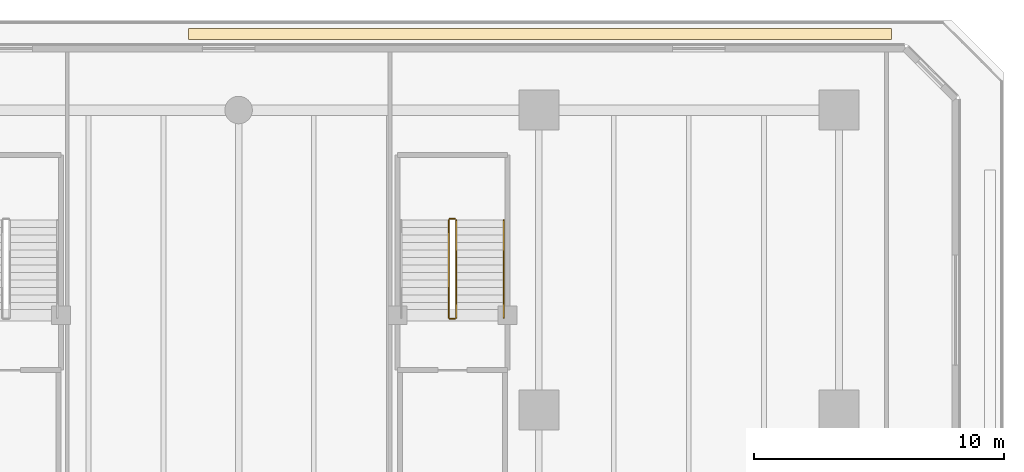
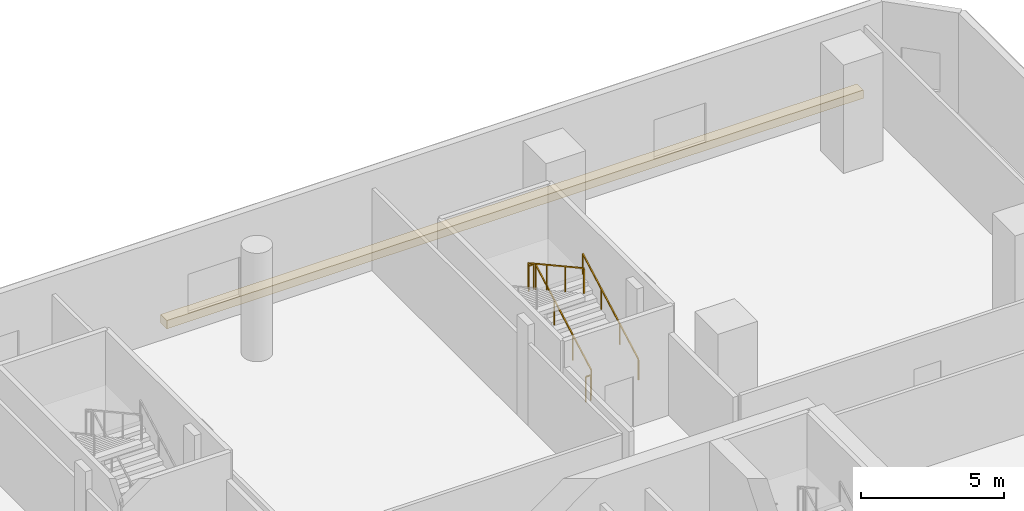
# One storey, part 26 of 27: 5 railings, 1 covering.
"""IFC4 building model written with IfcOpenShell, lengths in metres."""

from ifc_helpers import new_model, si_unit, direction, frame, origin, place, context, subcontext, project, spatial, polyline, rectangle, outline, extrude, material, layer, layer_set, type_object, element, save


model = new_model("IFC4")

# Units and contexts
model_context = context("Model", 3, precision=1e-05, world=origin(), true_north=direction((0.0, 1.0)))
body_context = subcontext(model_context, "Body", "Model", "MODEL_VIEW")
ifc_project = project(units=[si_unit("LENGTHUNIT", "METRE"), si_unit("AREAUNIT", "SQUARE_METRE"), si_unit("VOLUMEUNIT", "CUBIC_METRE"), si_unit("PLANEANGLEUNIT", "RADIAN"), si_unit("MASSUNIT", "GRAM", prefix="KILO")], contexts=[model_context])

# Site, building, storey
site_placement = place(None, origin())
site = spatial("IfcSite", under=ifc_project, at=site_placement, CompositionType="ELEMENT")
building_placement = place(site_placement, origin())
building = spatial("IfcBuilding", under=site, at=building_placement, Name="Tanjung Sevakor Pilgrim Tower", CompositionType="ELEMENT")
storey_placement = place(building_placement, frame((0.0, 0.0, 19.469970703125)))
storey = spatial("IfcBuildingStorey", under=building, at=storey_placement, Name="L05", CompositionType="ELEMENT", Elevation=19.469970703125)

# Covering
ifc_material_1 = material(Name="Vegetated Modular Planter Assembly", Category="organic")
ifc_layer = layer(ifc_material_1, 0.35009765625)
ifc_layer_set = layer_set([ifc_layer], Name="COV-GRN-TROUGH")
covering_type = type_object("IfcCoveringType", Name="COV-GRN-TROUGH", PredefinedType="CLADDING", material=ifc_layer_set)
covering_placement = place(storey_placement, origin())
element("IfcCovering", 1, at=covering_placement, inside=storey, type_object=covering_type, Name="L05 Planted Landscape Hedge Trough PGRN-L05-NE", PredefinedType="CLADDING", context=body_context, shape_type="SweptSolid", body=[
    extrude(outline(polyline([(76.0, 63.429931640625), (104.10009765625, 63.429931640625), (104.10009765625, 63.8701171875), (76.0, 63.8701171875), (76.0, 63.429931640625)])), origin(), (0.0, 0.0, 1.0), 0.35009765625),
])

# Railings
ifc_material_2 = material(Name="Steel S355J2", Category="steel")
railing_type_1 = type_object("IfcRailingType", Name="RL-STAIR-GUARD", PredefinedType="GUARDRAIL", material=ifc_material_2)
railing_1_placement = place(storey_placement, frame((86.699951171875, 52.300048828125, 0.1650390625)))
element("IfcRailing", 2, at=railing_1_placement, inside=storey, type_object=railing_type_1, Name="L05 PS-6 stair guard 1", PredefinedType="GUARDRAIL", context=body_context, shape_type="SweptSolid", body=[
    extrude(rectangle(XDim=0.0479, YDim=0.0479), frame((0.0, 0.0, 1.076171875), z_axis=(0.0, 0.876208959939, 0.481931383625), x_axis=(-1.0, 0.0, 0.0)), (0.0, 0.0, 1.0), 4.450927734375),
    extrude(rectangle(XDim=0.042, YDim=0.042), origin(), (0.0, 0.0, 1.0), 1.052001953125),
    extrude(rectangle(XDim=0.042, YDim=0.042), frame((0.0, 1.300048828125, 0.715087890625)), (0.0, 0.0, 1.0), 1.052001953125),
    extrude(rectangle(XDim=0.042, YDim=0.042), frame((0.0, 2.599853515625, 1.429931640625)), (0.0, 0.0, 1.0), 1.052001953125),
    extrude(rectangle(XDim=0.042, YDim=0.042), frame((0.0, 3.89990234375, 2.14501953125)), (0.0, 0.0, 1.0), 1.052001953125),
])
railing_2_placement = place(storey_placement, frame((86.64990234375, 56.25, 2.31005859375)))
element("IfcRailing", 3, at=railing_2_placement, inside=storey, type_object=railing_type_1, Name="L05 PS-6 stair guard 2", PredefinedType="GUARDRAIL", context=body_context, shape_type="SweptSolid", body=[
    extrude(rectangle(XDim=0.0479, YDim=0.0479), frame((0.0, 0.0, 1.076171875), z_axis=(-1.0, 0.0, 0.0), x_axis=(0.0, -1.0, 0.0)), (0.0, 0.0, 1.0), 0.199951171875),
    extrude(rectangle(XDim=0.042, YDim=0.042), origin(), (0.0, 0.0, 1.0), 1.052001953125),
    extrude(rectangle(XDim=0.042, YDim=0.042), frame((-0.199951171875, 0.0, 0.0)), (0.0, 0.0, 1.0), 1.052001953125),
])
railing_3_placement = place(storey_placement, frame((86.39990234375, 56.199951171875, 2.47509765625)))
element("IfcRailing", 4, at=railing_3_placement, inside=storey, type_object=railing_type_1, Name="L05 PS-6 stair guard 3", PredefinedType="GUARDRAIL", context=body_context, shape_type="SweptSolid", body=[
    extrude(rectangle(XDim=0.0479, YDim=0.0479), frame((0.0, 0.0, 1.076171875), z_axis=(0.0, -0.876208959939, 0.481931383625), x_axis=(1.0, 0.0, 0.0)), (0.0, 0.0, 1.0), 4.450927734375),
    extrude(rectangle(XDim=0.042, YDim=0.042), origin(), (0.0, 0.0, 1.0), 1.052001953125),
    extrude(rectangle(XDim=0.042, YDim=0.042), frame((0.0, -1.300048828125, 0.715087890625)), (0.0, 0.0, 1.0), 1.052001953125),
    extrude(rectangle(XDim=0.042, YDim=0.042), frame((0.0, -2.599853515625, 1.429931640625)), (0.0, 0.0, 1.0), 1.052001953125),
    extrude(rectangle(XDim=0.042, YDim=0.042), frame((0.0, -3.89990234375, 2.14501953125)), (0.0, 0.0, 1.0), 1.052001953125),
])
railing_4_placement = place(storey_placement, frame((86.64990234375, 52.25, 0.0)))
element("IfcRailing", 5, at=railing_4_placement, inside=storey, type_object=railing_type_1, Name="L05 PS-6 stair guard 4", PredefinedType="GUARDRAIL", context=body_context, shape_type="SweptSolid", body=[
    extrude(rectangle(XDim=0.0479, YDim=0.0479), frame((0.0, 0.0, 1.076171875), z_axis=(-1.0, 0.0, 0.0), x_axis=(0.0, -1.0, 0.0)), (0.0, 0.0, 1.0), 0.199951171875),
    extrude(rectangle(XDim=0.042, YDim=0.042), origin(), (0.0, 0.0, 1.0), 1.052001953125),
    extrude(rectangle(XDim=0.042, YDim=0.042), frame((-0.199951171875, 0.0, 0.0)), (0.0, 0.0, 1.0), 1.052001953125),
])
ifc_material_3 = material(Name="Steel S355J2", Category="steel")
railing_type_2 = type_object("IfcRailingType", Name="RL-STAIR-HAND", PredefinedType="HANDRAIL", material=ifc_material_3)
railing_5_placement = place(storey_placement, frame((88.60009765625, 52.300048828125, 0.1650390625)))
element("IfcRailing", 6, at=railing_5_placement, inside=storey, type_object=railing_type_2, Name="L05 PS-6 stair handrail 1", PredefinedType="HANDRAIL", context=body_context, shape_type="SweptSolid", body=[
    extrude(rectangle(XDim=0.0479, YDim=0.0479), frame((0.0, 0.0, 0.8759765625), z_axis=(0.0, 0.876208959939, 0.481931383625), x_axis=(-1.0, 0.0, 0.0)), (0.0, 0.0, 1.0), 4.450927734375),
    extrude(rectangle(XDim=0.042, YDim=0.042), origin(), (0.0, 0.0, 1.0), 0.851806640625),
    extrude(rectangle(XDim=0.042, YDim=0.042), frame((0.0, 1.300048828125, 0.715087890625)), (0.0, 0.0, 1.0), 0.851806640625),
    extrude(rectangle(XDim=0.042, YDim=0.042), frame((0.0, 2.599853515625, 1.429931640625)), (0.0, 0.0, 1.0), 0.851806640625),
    extrude(rectangle(XDim=0.042, YDim=0.042), frame((0.0, 3.89990234375, 2.14501953125)), (0.0, 0.0, 1.0), 0.851806640625),
])

save(model, "model.ifc")
